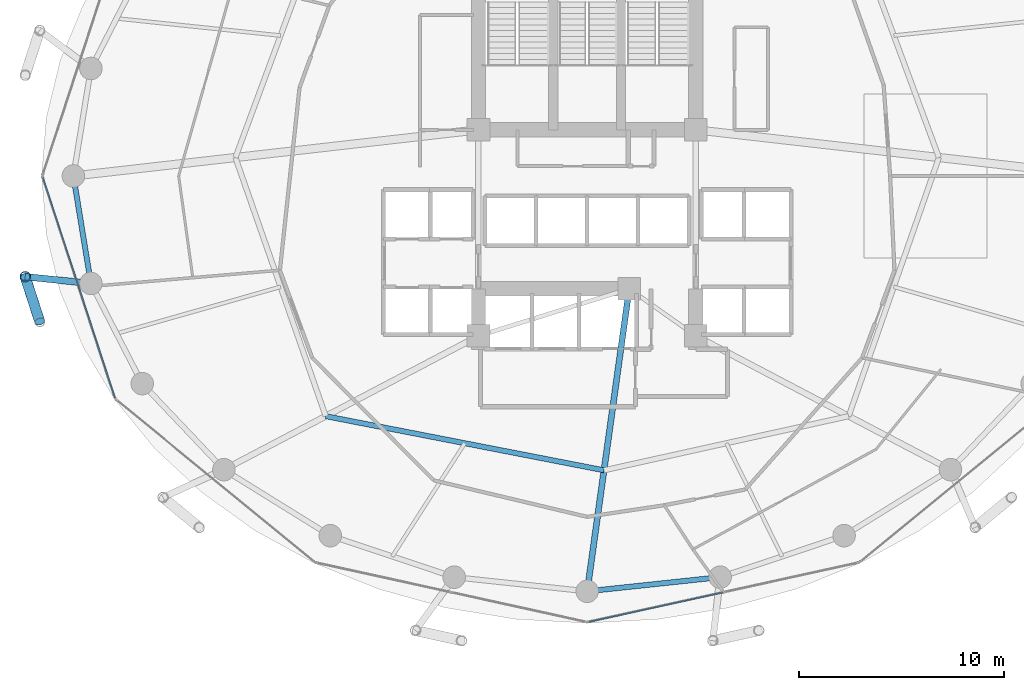
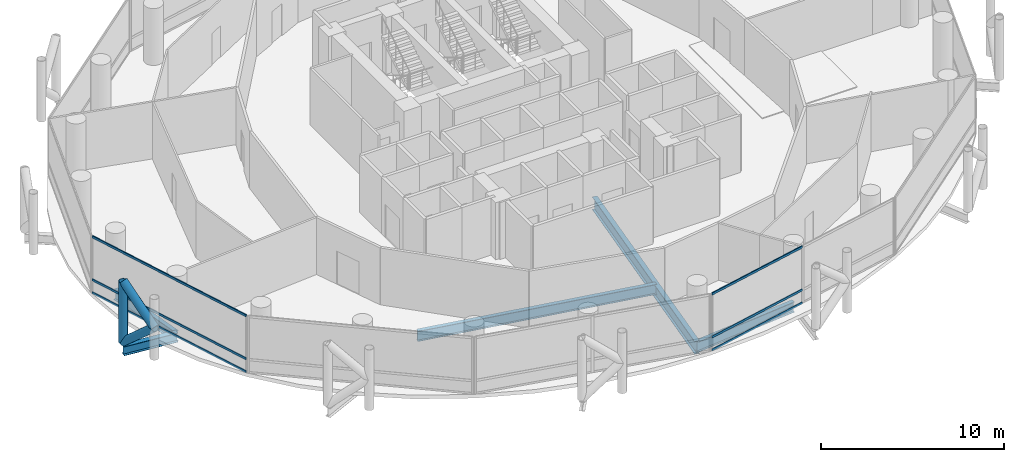
# One storey, part 5 of 24: 9 members, 5 beams, 2 elements without a shape of their own.
"""IFC4 building model written with IfcOpenShell, lengths in metres."""

from ifc_helpers import new_model, si_unit, direction, frame, origin, origin_2d, place, context, subcontext, project, spatial, hollow_rectangle, hollow_circle, i_section, extrude, material, layer, layer_set, material_profile, profile_set, type_object, element, aggregate, save


model = new_model("IFC4")

# Units and contexts
model_context = context("Model", 3, precision=1e-05, world=origin(), true_north=direction((0.0, 1.0)))
body_context = subcontext(model_context, "Body", "Model", "MODEL_VIEW")
ifc_project = project(units=[si_unit("LENGTHUNIT", "METRE"), si_unit("AREAUNIT", "SQUARE_METRE"), si_unit("VOLUMEUNIT", "CUBIC_METRE"), si_unit("PLANEANGLEUNIT", "RADIAN"), si_unit("MASSUNIT", "GRAM", prefix="KILO")], contexts=[model_context])

# Site, building, storey
site_placement = place(None, origin())
site = spatial("IfcSite", under=ifc_project, at=site_placement, CompositionType="ELEMENT")
building_placement = place(site_placement, origin())
building = spatial("IfcBuilding", under=site, at=building_placement, Name="Nuhasar Tower", CompositionType="ELEMENT")
storey_placement = place(building_placement, frame((0.0, 0.0, 85.800048828125)))
storey = spatial("IfcBuildingStorey", under=building, at=storey_placement, Name="L20", CompositionType="ELEMENT", Elevation=85.800048828125)

# Beams
ifc_material_1 = material(Name="Steel S355", Category="steel")
ifc_material_profile_1 = material_profile(ifc_material_1, i_section(OverallWidth=0.25390625, OverallDepth=0.68408203125, WebThickness=0.012451171875, FlangeThickness=0.018798828125, at=origin_2d()), Name="W27X94")
ifc_profile_set_1 = profile_set([ifc_material_profile_1], Name="Steel S355")
beam_type_1 = type_object("IfcBeamType", Name="BM-INRING-W27X94", PredefinedType="BEAM", material=ifc_profile_set_1)
beam_1_placement = place(storey_placement, frame((26.251953125, 15.089111328125, -0.592041015625), z_axis=(0.981602977761, -0.190933480695, 0.0), x_axis=(0.190933480695, 0.981602977761, 0.0)))
element("IfcBeam", 1, at=beam_1_placement, inside=storey, type_object=beam_type_1, Name="L20 Inner Header Beam 01", PredefinedType="BEAM", context=body_context, shape_type="SweptSolid", body=[
    extrude(i_section(OverallWidth=0.25390625, OverallDepth=0.68408203125, WebThickness=0.012451171875, FlangeThickness=0.018798828125, at=origin_2d()), origin(), (0.0, 0.0, 1.0), 13.822509765625),
])
ifc_material_profile_2 = material_profile(ifc_material_1, i_section(OverallWidth=0.2919921875, OverallDepth=0.85888671875, WebThickness=0.01708984375, FlangeThickness=0.031005859375, at=origin_2d()), Name="W33X169")
ifc_profile_set_2 = profile_set([ifc_material_profile_2], Name="Steel S355")
beam_type_2 = type_object("IfcBeamType", Name="BM-POD-W33X169", PredefinedType="BEAM", material=ifc_profile_set_2)
beam_2_placement = place(storey_placement, frame((41.050048828125, 21.300048828125, -0.679931640625), z_axis=(-0.137663087856, -0.990479113481, 0.0), x_axis=(0.990479113481, -0.137663087856, 0.0)))
element("IfcBeam", 2, at=beam_2_placement, inside=storey, type_object=beam_type_2, Name="L20 Radial Floor Girder 02", PredefinedType="BEAM", context=body_context, shape_type="SweptSolid", body=[
    extrude(i_section(OverallWidth=0.2919921875, OverallDepth=0.85888671875, WebThickness=0.01708984375, FlangeThickness=0.031005859375, at=origin_2d()), origin(), (0.0, 0.0, 1.0), 14.891845703125),
])
ifc_material_profile_3 = material_profile(ifc_material_1, i_section(OverallWidth=0.256103515625, OverallDepth=0.693115234375, WebThickness=0.014404296875, FlangeThickness=0.023681640625, at=origin_2d()), Name="W27X114")
ifc_profile_set_3 = profile_set([ifc_material_profile_3], Name="Steel S355")
beam_type_3 = type_object("IfcBeamType", Name="BM-RING-W27X114", PredefinedType="SPANDREL", material=ifc_profile_set_3)
beam_3_placement = place(storey_placement, frame((13.949951171875, 26.800048828125, -0.59716796875), z_axis=(0.160826635486, -0.986982671235, 0.0), x_axis=(0.986982671235, 0.160826635486, 0.0)))
element("IfcBeam", 3, at=beam_3_placement, inside=storey, type_object=beam_type_3, Name="L20 Perimeter Ring Spandrel 13", PredefinedType="SPANDREL", context=body_context, shape_type="SweptSolid", body=[
    extrude(i_section(OverallWidth=0.256103515625, OverallDepth=0.693115234375, WebThickness=0.014404296875, FlangeThickness=0.023681640625, at=origin_2d()), origin(), (0.0, 0.0, 1.0), 5.31005859375),
])
beam_4_placement = place(storey_placement, frame((39.0, 6.550048828125, -0.59716796875), z_axis=(0.994384554061, 0.105827022286, 0.0), x_axis=(-0.105827022286, 0.994384554061, 0.0)))
element("IfcBeam", 4, at=beam_4_placement, inside=storey, type_object=beam_type_3, Name="L20 Perimeter Ring Spandrel 19", PredefinedType="SPANDREL", context=body_context, shape_type="SweptSolid", body=[
    extrude(i_section(OverallWidth=0.256103515625, OverallDepth=0.693115234375, WebThickness=0.014404296875, FlangeThickness=0.023681640625, at=origin_2d()), origin(), (0.0, 0.0, 1.0), 6.51953125),
])
ifc_material_profile_4 = material_profile(ifc_material_1, i_section(OverallWidth=0.323974609375, OverallDepth=0.611083984375, WebThickness=0.0126953125, FlangeThickness=0.01904296875, at=origin_2d()), Name="W24X104")
ifc_profile_set_4 = profile_set([ifc_material_profile_4], Name="Steel S355")
beam_type_4 = type_object("IfcBeamType", Name="BM-TIE-W24X104", PredefinedType="BEAM", material=ifc_profile_set_4)
beam_5_placement = place(storey_placement, frame((14.803955078125, 21.55908203125, -0.554931640625), z_axis=(-0.994711572359, 0.102707778751, 0.0), x_axis=(-0.102707778751, -0.994711572359, 0.0)))
element("IfcBeam", 5, at=beam_5_placement, inside=storey, type_object=beam_type_4, Name="L20 Exoskeleton Node Tie Beam 07", PredefinedType="BEAM", context=body_context, shape_type="SweptSolid", body=[
    extrude(i_section(OverallWidth=0.323974609375, OverallDepth=0.611083984375, WebThickness=0.0126953125, FlangeThickness=0.01904296875, at=origin_2d()), origin(), (0.0, 0.0, 1.0), 3.220947265625),
])

# Curtain wall, members
ifc_material_2 = material(Name="Aluminium 6063-T6", Category="aluminium")
ifc_layer = layer(ifc_material_2, 0.199951171875)
ifc_layer_set = layer_set([ifc_layer], Name="Aluminium 6063-T6")
curtain_wall_type = type_object("IfcCurtainWallType", Name="CW-Z1-OFF", PredefinedType="NOTDEFINED", material=ifc_layer_set)
curtain_wall_1_placement = place(storey_placement, origin())
curtain_wall_1 = element("IfcCurtainWall", 6, at=curtain_wall_1_placement, inside=storey, type_object=curtain_wall_type, Name="L20 Unitised Curtain Wall 07", PredefinedType="NOTDEFINED")
ifc_material_profile_5 = material_profile(ifc_material_2, hollow_rectangle(XDim=0.06494140625, YDim=0.14990234375, WallThickness=0.00439453125, at=origin_2d()), Name="CWT-2")
ifc_profile_set_5 = profile_set([ifc_material_profile_5], Name="Aluminium 6063-T6")
member_type_1 = type_object("IfcMemberType", Name="CW-TRN-S2", PredefinedType="USERDEFINED", material=ifc_profile_set_5)
member_1_placement = place(storey_placement, frame((12.460205078125, 26.73828125, 0.032470703125), z_axis=(0.310818687697, -0.950469222741, 0.0), x_axis=(0.950469222741, 0.310818687697, 0.0)))
member_1 = element("IfcMember", 7, at=member_1_placement, type_object=member_type_1, Name="CW-Z1 transom 1.1", ObjectType="TRANSOM", PredefinedType="USERDEFINED", context=body_context, shape_type="SweptSolid", body=[
    extrude(hollow_rectangle(XDim=0.06494140625, YDim=0.14990234375, WallThickness=0.00439453125, at=origin_2d()), origin(), (0.0, 0.0, 1.0), 11.317138671875),
])
member_2_placement = place(storey_placement, frame((12.460205078125, 26.73828125, 0.89990234375), z_axis=(0.310818687697, -0.950469222741, 0.0), x_axis=(0.950469222741, 0.310818687697, 0.0)))
member_2 = element("IfcMember", 8, at=member_2_placement, type_object=member_type_1, Name="CW-Z1 transom 1.2", ObjectType="TRANSOM", PredefinedType="USERDEFINED", context=body_context, shape_type="SweptSolid", body=[
    extrude(hollow_rectangle(XDim=0.06494140625, YDim=0.14990234375, WallThickness=0.00439453125, at=origin_2d()), origin(), (0.0, 0.0, 1.0), 11.317138671875),
])
member_3_placement = place(storey_placement, frame((12.460205078125, 26.73828125, 3.767333984375), z_axis=(0.310818687697, -0.950469222741, 0.0), x_axis=(0.950469222741, 0.310818687697, 0.0)))
member_3 = element("IfcMember", 9, at=member_3_placement, type_object=member_type_1, Name="CW-Z1 transom 1.3", ObjectType="TRANSOM", PredefinedType="USERDEFINED", context=body_context, shape_type="SweptSolid", body=[
    extrude(hollow_rectangle(XDim=0.06494140625, YDim=0.14990234375, WallThickness=0.00439453125, at=origin_2d()), origin(), (0.0, 0.0, 1.0), 11.317138671875),
])
aggregate(curtain_wall_1, [member_1, member_2, member_3])

curtain_wall_2_placement = place(storey_placement, origin())
curtain_wall_2 = element("IfcCurtainWall", 10, at=curtain_wall_2_placement, inside=storey, type_object=curtain_wall_type, Name="L20 Unitised Curtain Wall 10", PredefinedType="NOTDEFINED")
member_4_placement = place(storey_placement, frame((39.0634765625, 5.053955078125, 0.032470703125), z_axis=(0.976747879138, 0.214391185916, 0.0), x_axis=(-0.214391185916, 0.976747879138, 0.0)))
member_4 = element("IfcMember", 11, at=member_4_placement, type_object=member_type_1, Name="CW-Z1 transom 1.1", ObjectType="TRANSOM", PredefinedType="USERDEFINED", context=body_context, shape_type="SweptSolid", body=[
    extrude(hollow_rectangle(XDim=0.06494140625, YDim=0.14990234375, WallThickness=0.00439453125, at=origin_2d()), origin(), (0.0, 0.0, 1.0), 6.700439453125),
])
member_5_placement = place(storey_placement, frame((39.0634765625, 5.053955078125, 0.89990234375), z_axis=(0.976747879138, 0.214391185916, 0.0), x_axis=(-0.214391185916, 0.976747879138, 0.0)))
member_5 = element("IfcMember", 12, at=member_5_placement, type_object=member_type_1, Name="CW-Z1 transom 1.2", ObjectType="TRANSOM", PredefinedType="USERDEFINED", context=body_context, shape_type="SweptSolid", body=[
    extrude(hollow_rectangle(XDim=0.06494140625, YDim=0.14990234375, WallThickness=0.00439453125, at=origin_2d()), origin(), (0.0, 0.0, 1.0), 6.700439453125),
])
member_6_placement = place(storey_placement, frame((39.0634765625, 5.053955078125, 3.767333984375), z_axis=(0.976747879138, 0.214391185916, 0.0), x_axis=(-0.214391185916, 0.976747879138, 0.0)))
member_6 = element("IfcMember", 13, at=member_6_placement, type_object=member_type_1, Name="CW-Z1 transom 1.3", ObjectType="TRANSOM", PredefinedType="USERDEFINED", context=body_context, shape_type="SweptSolid", body=[
    extrude(hollow_rectangle(XDim=0.06494140625, YDim=0.14990234375, WallThickness=0.00439453125, at=origin_2d()), origin(), (0.0, 0.0, 1.0), 6.700439453125),
])
aggregate(curtain_wall_2, [member_4, member_5, member_6])

# Members
ifc_material_3 = material(Name="Steel S460", Category="steel")
ifc_material_profile_6 = material_profile(ifc_material_3, hollow_circle(Radius=0.25390625, WallThickness=0.025390625, at=origin_2d()), Name="HSS508X25.4")
ifc_profile_set_6 = profile_set([ifc_material_profile_6], Name="Steel S460")
member_type_2 = type_object("IfcMemberType", Name="EXO-BRONZE-508", PredefinedType="BRACE", material=ifc_profile_set_6)
member_7_placement = place(storey_placement, frame((11.60009765625, 21.889892578125, 0.0), z_axis=(0.0, 0.0, 1.0), x_axis=(1.0, 0.0, 0.0)))
element("IfcMember", 14, at=member_7_placement, inside=storey, type_object=member_type_2, Name="L20 Exoskeleton Chord Column EC-07A", PredefinedType="BRACE", context=body_context, shape_type="SweptSolid", body=[
    extrude(hollow_circle(Radius=0.25390625, WallThickness=0.025390625, at=origin_2d()), origin(), (0.0, 0.0, 1.0), 4.050048828125),
])
member_8_placement = place(storey_placement, frame((11.60009765625, 21.889892578125, 0.0), z_axis=(0.231011836313, -0.714224870475, 0.660693851854), x_axis=(0.951468282519, 0.307746823478, 0.0)))
element("IfcMember", 15, at=member_8_placement, inside=storey, type_object=member_type_2, Name="L20 Bronze Diagrid Brace W1-07", PredefinedType="BRACE", context=body_context, shape_type="SweptSolid", body=[
    extrude(hollow_circle(Radius=0.25390625, WallThickness=0.025390625, at=origin_2d()), origin(), (0.0, 0.0, 1.0), 3.064697265625),
])
member_9_placement = place(storey_placement, frame((12.30810546875, 19.700927734375, 2.02490234375), z_axis=(-0.230999678299, 0.714187281251, 0.660738734997), x_axis=(-0.951468282519, -0.307746823478, 0.0)))
element("IfcMember", 16, at=member_9_placement, inside=storey, type_object=member_type_2, Name="L20 Bronze Diagrid Brace W2-07", PredefinedType="BRACE", context=body_context, shape_type="SweptSolid", body=[
    extrude(hollow_circle(Radius=0.25390625, WallThickness=0.025390625, at=origin_2d()), origin(), (0.0, 0.0, 1.0), 3.06494140625),
])

save(model, "model.ifc")
